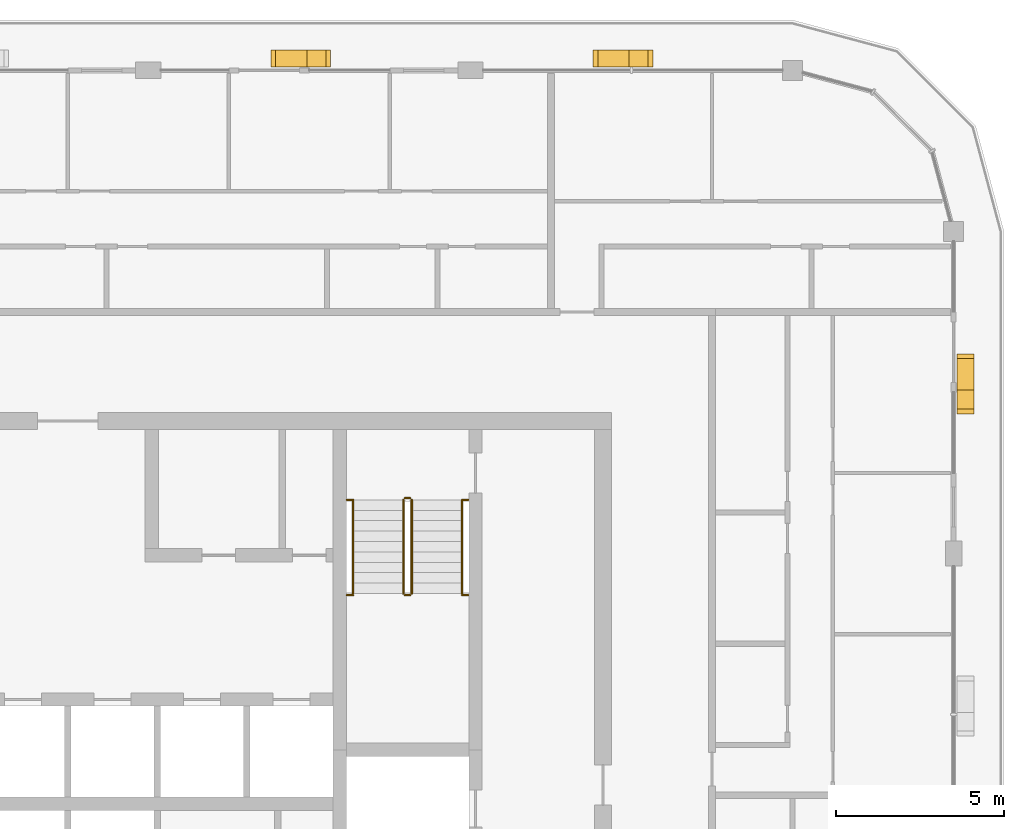
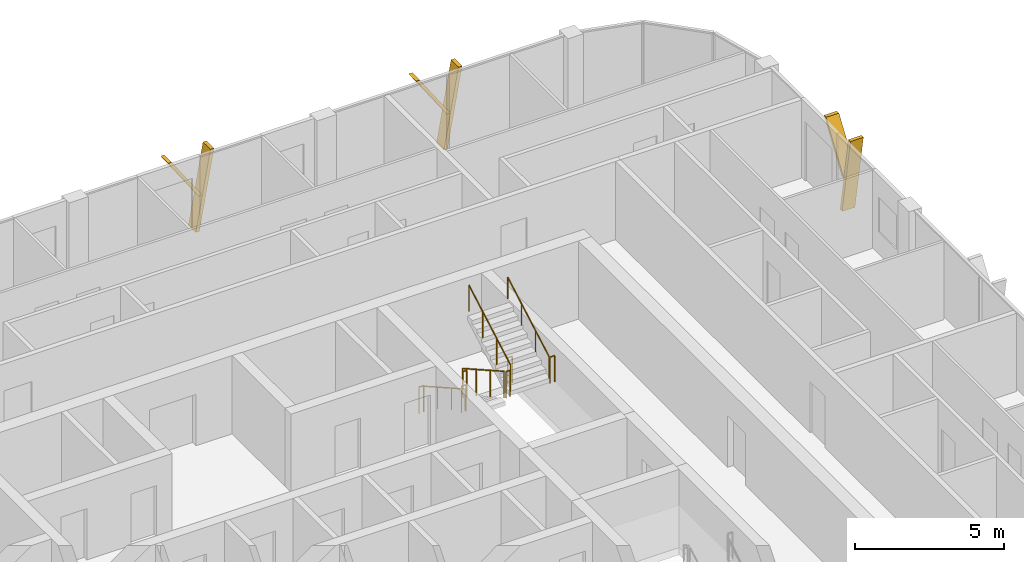
# One storey, part 22 of 22: 10 railings, 6 shading devices.
"""IFC4 building model written with IfcOpenShell, lengths in metres."""

from ifc_helpers import new_model, si_unit, direction, frame, origin, origin_2d, place, context, subcontext, project, spatial, polyline, circle, outline, extrude, material, type_object, element, save


model = new_model("IFC4")

# Units and contexts
model_context = context("Model", 3, precision=1e-05, world=origin(), true_north=direction((0.0, 1.0)))
body_context = subcontext(model_context, "Body", "Model", "MODEL_VIEW")
ifc_project = project(units=[si_unit("LENGTHUNIT", "METRE"), si_unit("AREAUNIT", "SQUARE_METRE"), si_unit("VOLUMEUNIT", "CUBIC_METRE"), si_unit("PLANEANGLEUNIT", "RADIAN"), si_unit("MASSUNIT", "GRAM", prefix="KILO")], contexts=[model_context])

# Site, building, storey
site_placement = place(None, origin())
site = spatial("IfcSite", under=ifc_project, at=site_placement, CompositionType="ELEMENT")
building_placement = place(site_placement, origin())
building = spatial("IfcBuilding", under=site, at=building_placement, Name="Madar Terraces", CompositionType="ELEMENT")
storey_placement = place(building_placement, frame((0.0, 0.0, 282.60009765625)))
storey = spatial("IfcBuildingStorey", under=building, at=storey_placement, Name="L74", CompositionType="ELEMENT", Elevation=282.60009765625)

# Shading devices
ifc_material_1 = material(Name="Aluminium, black anodised", Category="aluminium")
shading_device_type = type_object("IfcShadingDeviceType", Name="Facade fin blade 140 x 500", PredefinedType="USERDEFINED", material=ifc_material_1)
shading_device_1_placement = place(storey_placement, frame((57.949951171875, 38.330078125, 0.0), z_axis=(0.0, 0.0, 1.0), x_axis=(0.0, 1.0, 0.0)))
element("IfcShadingDevice", 1, at=shading_device_1_placement, inside=storey, type_object=shading_device_type, Name="FIN L74 E4", ObjectType="FIN", PredefinedType="USERDEFINED", context=body_context, shape_type="SweptSolid", body=[
    extrude(outline(polyline([(0.0, 0.0), (0.139892578125, 0.0), (-0.42431640625, 3.199951171875), (-0.564208984375, 3.199951171875), (0.0, 0.0)])), frame((0.0, 0.25, 0.0), z_axis=(0.0, -1.0, 0.0), x_axis=(1.0, 0.0, 0.0)), (0.0, 0.0, 1.0), 0.5),
])
shading_device_2_placement = place(storey_placement, frame((57.949951171875, 38.216064453125, 1.43994140625), z_axis=(0.0, 0.0, 1.0), x_axis=(0.0, 1.0, 0.0)))
element("IfcShadingDevice", 2, at=shading_device_2_placement, inside=storey, type_object=shading_device_type, Name="FIN L74 E4 branch", ObjectType="FIN", PredefinedType="USERDEFINED", context=body_context, shape_type="SweptSolid", body=[
    extrude(outline(polyline([(0.0, 0.0), (0.14013671875, 0.0), (1.32958984375, 1.760009765625), (1.189697265625, 1.760009765625), (0.0, 0.0)])), frame((0.0, 0.25, 0.0), z_axis=(0.0, -1.0, 0.0), x_axis=(1.0, 0.0, 0.0)), (0.0, 0.0, 1.0), 0.5),
])
shading_device_3_placement = place(storey_placement, frame((48.070068359375, 48.35009765625, 0.0), z_axis=(0.0, 0.0, 1.0), x_axis=(-1.0, 0.0, 0.0)))
element("IfcShadingDevice", 3, at=shading_device_3_placement, inside=storey, type_object=shading_device_type, Name="FIN L74 N1", ObjectType="FIN", PredefinedType="USERDEFINED", context=body_context, shape_type="SweptSolid", body=[
    extrude(outline(polyline([(0.0, 0.0), (0.14013671875, 0.0), (-0.42431640625, 3.199951171875), (-0.564208984375, 3.199951171875), (0.0, 0.0)])), frame((0.0, 0.25, 0.0), z_axis=(0.0, -1.0, 0.0), x_axis=(1.0, 0.0, 0.0)), (0.0, 0.0, 1.0), 0.5),
])
shading_device_4_placement = place(storey_placement, frame((48.183837890625, 48.35009765625, 1.43994140625), z_axis=(0.0, 0.0, 1.0), x_axis=(-1.0, 0.0, 0.0)))
element("IfcShadingDevice", 4, at=shading_device_4_placement, inside=storey, type_object=shading_device_type, Name="FIN L74 N1 branch", ObjectType="FIN", PredefinedType="USERDEFINED", context=body_context, shape_type="SweptSolid", body=[
    extrude(outline(polyline([(0.0, 0.0), (0.139892578125, 0.0), (1.32958984375, 1.760009765625), (1.189697265625, 1.760009765625), (0.0, 0.0)])), frame((0.0, 0.25, 0.0), z_axis=(0.0, -1.0, 0.0), x_axis=(1.0, 0.0, 0.0)), (0.0, 0.0, 1.0), 0.5),
])
shading_device_5_placement = place(storey_placement, frame((38.469970703125, 48.35009765625, 0.0), z_axis=(0.0, 0.0, 1.0), x_axis=(-1.0, 0.0, 0.0)))
element("IfcShadingDevice", 5, at=shading_device_5_placement, inside=storey, type_object=shading_device_type, Name="FIN L74 N2", ObjectType="FIN", PredefinedType="USERDEFINED", context=body_context, shape_type="SweptSolid", body=[
    extrude(outline(polyline([(0.0, 0.0), (0.139892578125, 0.0), (-0.42431640625, 3.199951171875), (-0.564208984375, 3.199951171875), (0.0, 0.0)])), frame((0.0, 0.25, 0.0), z_axis=(0.0, -1.0, 0.0), x_axis=(1.0, 0.0, 0.0)), (0.0, 0.0, 1.0), 0.5),
])
shading_device_6_placement = place(storey_placement, frame((38.583984375, 48.35009765625, 1.43994140625), z_axis=(0.0, 0.0, 1.0), x_axis=(-1.0, 0.0, 0.0)))
element("IfcShadingDevice", 6, at=shading_device_6_placement, inside=storey, type_object=shading_device_type, Name="FIN L74 N2 branch", ObjectType="FIN", PredefinedType="USERDEFINED", context=body_context, shape_type="SweptSolid", body=[
    extrude(outline(polyline([(0.0, 0.0), (0.14013671875, 0.0), (1.32958984375, 1.760009765625), (1.189697265625, 1.760009765625), (0.0, 0.0)])), frame((0.0, 0.25, 0.0), z_axis=(0.0, -1.0, 0.0), x_axis=(1.0, 0.0, 0.0)), (0.0, 0.0, 1.0), 0.5),
])

# Railings
ifc_material_2 = material(Name="Stainless steel railing", Category="steel")
railing_type_1 = type_object("IfcRailingType", Name="Stair guard 1100", PredefinedType="GUARDRAIL", material=ifc_material_2)
railing_1_placement = place(storey_placement, frame((41.199951171875, 35.199951171875, 0.1748046875)))
element("IfcRailing", 7, at=railing_1_placement, inside=storey, type_object=railing_type_1, Name="L74 ST2 stair guard 1", PredefinedType="GUARDRAIL", context=body_context, shape_type="SweptSolid", body=[
    extrude(circle(Radius=0.02392578125, at=origin_2d()), frame((0.0, 0.0, 1.076171875), z_axis=(0.0, -0.870801158333, 0.491635375706), x_axis=(1.0, 0.0, 0.0)), (0.0, 0.0, 1.0), 3.2041015625),
    extrude(circle(Radius=0.02099609375, at=origin_2d()), origin(), (0.0, 0.0, 1.0), 1.052001953125),
    extrude(circle(Radius=0.02099609375, at=origin_2d()), frame((0.0, -0.929931640625, 0.525146484375)), (0.0, 0.0, 1.0), 1.052001953125),
    extrude(circle(Radius=0.02099609375, at=origin_2d()), frame((0.0, -1.860107421875, 1.050048828125)), (0.0, 0.0, 1.0), 1.052001953125),
    extrude(circle(Radius=0.02099609375, at=origin_2d()), frame((0.0, -2.7900390625, 1.5751953125)), (0.0, 0.0, 1.0), 1.052001953125),
])
railing_2_placement = place(storey_placement, frame((41.25, 32.360107421875, 1.75)))
element("IfcRailing", 8, at=railing_2_placement, inside=storey, type_object=railing_type_1, Name="L74 ST2 stair guard 2", PredefinedType="GUARDRAIL", context=body_context, shape_type="SweptSolid", body=[
    extrude(circle(Radius=0.02392578125, at=origin_2d()), frame((0.0, 0.0, 1.076171875), z_axis=(1.0, 0.0, 0.0), x_axis=(0.0, 1.0, 0.0)), (0.0, 0.0, 1.0), 0.14990234375),
    extrude(circle(Radius=0.02099609375, at=origin_2d()), origin(), (0.0, 0.0, 1.0), 1.052001953125),
    extrude(circle(Radius=0.02099609375, at=origin_2d()), frame((0.14990234375, 0.0, 0.0)), (0.0, 0.0, 1.0), 1.052001953125),
])
railing_3_placement = place(storey_placement, frame((41.449951171875, 32.409912109375, 1.9248046875)))
element("IfcRailing", 9, at=railing_3_placement, inside=storey, type_object=railing_type_1, Name="L74 ST2 stair guard 3", PredefinedType="GUARDRAIL", context=body_context, shape_type="SweptSolid", body=[
    extrude(circle(Radius=0.02392578125, at=origin_2d()), frame((0.0, 0.0, 1.076171875), z_axis=(0.0, 0.870801158333, 0.491635375706), x_axis=(-1.0, 0.0, 0.0)), (0.0, 0.0, 1.0), 3.2041015625),
    extrude(circle(Radius=0.02099609375, at=origin_2d()), origin(), (0.0, 0.0, 1.0), 1.052001953125),
    extrude(circle(Radius=0.02099609375, at=origin_2d()), frame((0.0, 0.929931640625, 0.525146484375)), (0.0, 0.0, 1.0), 1.052001953125),
    extrude(circle(Radius=0.02099609375, at=origin_2d()), frame((0.0, 1.860107421875, 1.050048828125)), (0.0, 0.0, 1.0), 1.052001953125),
    extrude(circle(Radius=0.02099609375, at=origin_2d()), frame((0.0, 2.7900390625, 1.5751953125)), (0.0, 0.0, 1.0), 1.052001953125),
])
railing_4_placement = place(storey_placement, frame((41.25, 35.25, 0.0)))
element("IfcRailing", 10, at=railing_4_placement, inside=storey, type_object=railing_type_1, Name="L74 ST2 stair guard 4", PredefinedType="GUARDRAIL", context=body_context, shape_type="SweptSolid", body=[
    extrude(circle(Radius=0.02392578125, at=origin_2d()), frame((0.0, 0.0, 1.076171875), z_axis=(1.0, 0.0, 0.0), x_axis=(0.0, 1.0, 0.0)), (0.0, 0.0, 1.0), 0.14990234375),
    extrude(circle(Radius=0.02099609375, at=origin_2d()), origin(), (0.0, 0.0, 1.0), 1.052001953125),
    extrude(circle(Radius=0.02099609375, at=origin_2d()), frame((0.14990234375, 0.0, 0.0)), (0.0, 0.0, 1.0), 1.052001953125),
])
for number, where, name in (
    (11, (39.52001953125, 32.360107421875, 1.75), "L74 stair guard seat 1"),
    (12, (42.949951171875, 32.360107421875, 1.75), "L74 stair guard seat 2"),
    (13, (39.52001953125, 35.199951171875, 0.0), "L74 stair guard floor 1"),
    (14, (42.949951171875, 35.199951171875, 0.0), "L74 stair guard floor 2"),
):
    element("IfcRailing", number, at=place(storey_placement, frame(where)), inside=storey, type_object=railing_type_1, Name=name, PredefinedType="GUARDRAIL", context=body_context, shape_type="SweptSolid", body=[
        extrude(circle(Radius=0.02392578125, at=origin_2d()), frame((0.0, 0.0, 1.076171875), z_axis=(1.0, 0.0, 0.0), x_axis=(0.0, 1.0, 0.0)), (0.0, 0.0, 1.0), 0.179931640625),
        extrude(circle(Radius=0.02099609375, at=origin_2d()), origin(), (0.0, 0.0, 1.0), 1.052001953125),
        extrude(circle(Radius=0.02099609375, at=origin_2d()), frame((0.179931640625, 0.0, 0.0)), (0.0, 0.0, 1.0), 1.052001953125),
    ])
ifc_material_3 = material(Name="Stainless steel railing", Category="steel")
railing_type_2 = type_object("IfcRailingType", Name="Stair handrail 900", PredefinedType="HANDRAIL", material=ifc_material_3)
railing_5_placement = place(storey_placement, frame((39.699951171875, 35.199951171875, 0.1748046875)))
element("IfcRailing", 15, at=railing_5_placement, inside=storey, type_object=railing_type_2, Name="L74 ST2 stair handrail 1", PredefinedType="HANDRAIL", context=body_context, shape_type="SweptSolid", body=[
    extrude(circle(Radius=0.02392578125, at=origin_2d()), frame((0.0, 0.0, 0.8759765625), z_axis=(0.0, -0.870801158333, 0.491635375706), x_axis=(1.0, 0.0, 0.0)), (0.0, 0.0, 1.0), 3.2041015625),
    extrude(circle(Radius=0.02099609375, at=origin_2d()), origin(), (0.0, 0.0, 1.0), 0.851806640625),
    extrude(circle(Radius=0.02099609375, at=origin_2d()), frame((0.0, -0.929931640625, 0.525146484375)), (0.0, 0.0, 1.0), 0.851806640625),
    extrude(circle(Radius=0.02099609375, at=origin_2d()), frame((0.0, -1.860107421875, 1.050048828125)), (0.0, 0.0, 1.0), 0.851806640625),
    extrude(circle(Radius=0.02099609375, at=origin_2d()), frame((0.0, -2.7900390625, 1.5751953125)), (0.0, 0.0, 1.0), 0.851806640625),
])
railing_6_placement = place(storey_placement, frame((42.949951171875, 32.409912109375, 1.9248046875)))
element("IfcRailing", 16, at=railing_6_placement, inside=storey, type_object=railing_type_2, Name="L74 ST2 stair handrail 2", PredefinedType="HANDRAIL", context=body_context, shape_type="SweptSolid", body=[
    extrude(circle(Radius=0.02392578125, at=origin_2d()), frame((0.0, 0.0, 0.8759765625), z_axis=(0.0, 0.870801158333, 0.491635375706), x_axis=(-1.0, 0.0, 0.0)), (0.0, 0.0, 1.0), 3.2041015625),
    extrude(circle(Radius=0.02099609375, at=origin_2d()), origin(), (0.0, 0.0, 1.0), 0.851806640625),
    extrude(circle(Radius=0.02099609375, at=origin_2d()), frame((0.0, 0.929931640625, 0.525146484375)), (0.0, 0.0, 1.0), 0.851806640625),
    extrude(circle(Radius=0.02099609375, at=origin_2d()), frame((0.0, 1.860107421875, 1.050048828125)), (0.0, 0.0, 1.0), 0.851806640625),
    extrude(circle(Radius=0.02099609375, at=origin_2d()), frame((0.0, 2.7900390625, 1.5751953125)), (0.0, 0.0, 1.0), 0.851806640625),
])

save(model, "model.ifc")
